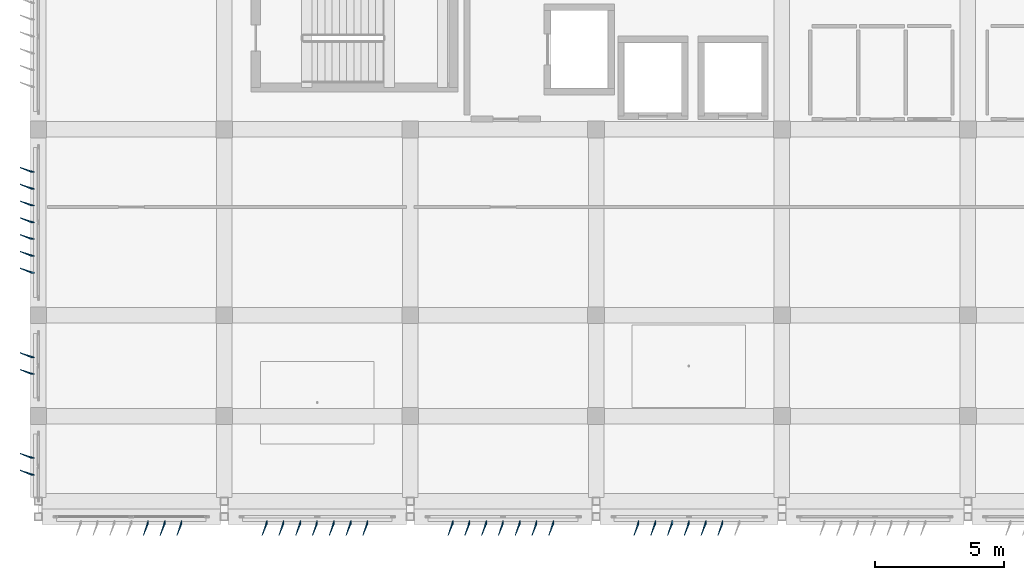
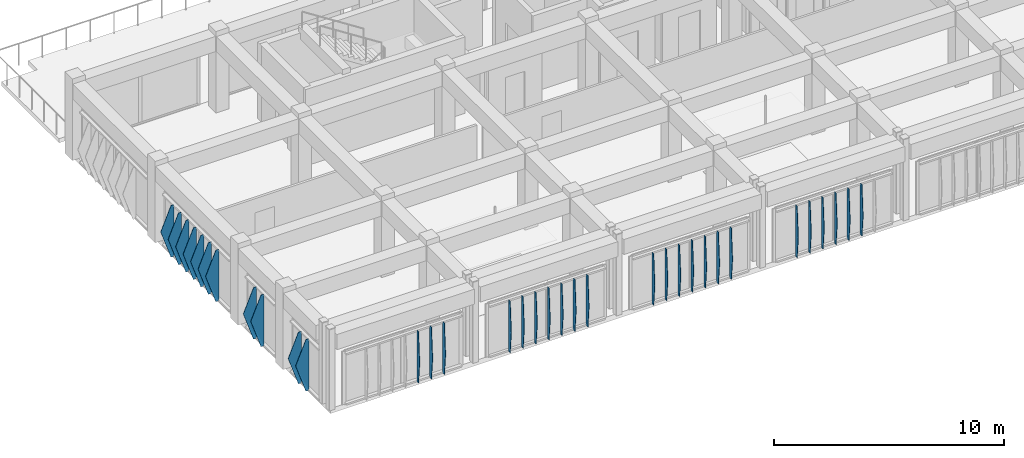
# One storey, part 36 of 42: 34 plates.
"""IFC4 building model written with IfcOpenShell, lengths in metres."""

from ifc_helpers import new_model, si_unit, direction, frame, origin, place, context, subcontext, project, spatial, polygons, material, layer, layer_set, type_object, element, save


model = new_model("IFC4")

# Units and contexts
model_context = context("Model", 3, precision=1e-05, world=origin(), true_north=direction((0.0, 1.0)))
body_context = subcontext(model_context, "Body", "Model", "MODEL_VIEW")
ifc_project = project(units=[si_unit("LENGTHUNIT", "METRE"), si_unit("AREAUNIT", "SQUARE_METRE"), si_unit("VOLUMEUNIT", "CUBIC_METRE"), si_unit("PLANEANGLEUNIT", "RADIAN"), si_unit("MASSUNIT", "GRAM", prefix="KILO")], contexts=[model_context])

# Site, building, storey
site_placement = place(None, origin())
site = spatial("IfcSite", under=ifc_project, at=site_placement, CompositionType="ELEMENT")
building_placement = place(site_placement, origin())
building = spatial("IfcBuilding", under=site, at=building_placement, Name="Kazehaya Institute of Natural Sciences", CompositionType="ELEMENT")
storey_placement = place(building_placement, frame((0.0, 0.0, 37.6201171875)))
storey = spatial("IfcBuildingStorey", under=building, at=storey_placement, Name="L08", CompositionType="ELEMENT", Elevation=37.6201171875)

# Plates
ifc_material = material(Name="Bronze-anodised aluminium alloy A6063S-T5", Category="aluminium")
ifc_layer_1 = layer(ifc_material, 0.02001953125, Name="Bronze-anodised aluminium alloy A6063S-T5", Category="aluminium")
ifc_layer_set_1 = layer_set([ifc_layer_1], Name="Bronze-anodised aluminium alloy A6063S-T5")
plate_type_1 = type_object("IfcPlateType", Name="FIN-DF-E1", PredefinedType="USERDEFINED", material=ifc_layer_set_1)
plate_1_placement = place(storey_placement, origin())
element("IfcPlate", 1, at=plate_1_placement, inside=storey, type_object=plate_type_1, Name="L08 folded diamond-pyramid shading fin FIN-L08-W-0805", ObjectType="SHADING_FIN", PredefinedType="USERDEFINED", context=body_context, shape_type="Tessellation", body=[
    polygons([(54.445068359375, 7.81494140625, 0.039794921875), (54.300048828125, 7.81494140625, 0.039794921875), (53.889892578125, 7.99365234375, 1.409912109375), (54.300048828125, 7.81494140625, 2.77978515625), (54.445068359375, 7.81494140625, 2.77978515625), (54.445068359375, 7.8349609375, 0.039794921875), (54.300048828125, 7.8349609375, 0.039794921875), (53.889892578125, 8.013671875, 1.409912109375), (54.300048828125, 7.8349609375, 2.77978515625), (54.445068359375, 7.8349609375, 2.77978515625)], [[[1, 5, 4, 3, 2]], [[6, 7, 8, 9, 10]], [[1, 2, 7, 6]], [[2, 3, 8, 7]], [[3, 4, 9, 8]], [[4, 5, 10, 9]], [[5, 1, 6, 10]]], closed=True),
])
plate_2_placement = place(storey_placement, origin())
element("IfcPlate", 2, at=plate_2_placement, inside=storey, type_object=plate_type_1, Name="L08 folded diamond-pyramid shading fin FIN-L08-W-0806", ObjectType="SHADING_FIN", PredefinedType="USERDEFINED", context=body_context, shape_type="Tessellation", body=[
    polygons([(54.445068359375, 8.465087890625, 0.039794921875), (54.300048828125, 8.465087890625, 0.039794921875), (53.889892578125, 8.643798828125, 1.409912109375), (54.300048828125, 8.465087890625, 2.77978515625), (54.445068359375, 8.465087890625, 2.77978515625), (54.445068359375, 8.485107421875, 0.039794921875), (54.300048828125, 8.485107421875, 0.039794921875), (53.889892578125, 8.663818359375, 1.409912109375), (54.300048828125, 8.485107421875, 2.77978515625), (54.445068359375, 8.485107421875, 2.77978515625)], [[[1, 5, 4, 3, 2]], [[6, 7, 8, 9, 10]], [[1, 2, 7, 6]], [[2, 3, 8, 7]], [[3, 4, 9, 8]], [[4, 5, 10, 9]], [[5, 1, 6, 10]]], closed=True),
])
plate_3_placement = place(storey_placement, origin())
element("IfcPlate", 3, at=plate_3_placement, inside=storey, type_object=plate_type_1, Name="L08 folded diamond-pyramid shading fin FIN-L08-W-0809", ObjectType="SHADING_FIN", PredefinedType="USERDEFINED", context=body_context, shape_type="Tessellation", body=[
    polygons([(54.445068359375, 11.715087890625, 0.039794921875), (54.300048828125, 11.715087890625, 0.039794921875), (53.889892578125, 11.893798828125, 1.409912109375), (54.300048828125, 11.715087890625, 2.77978515625), (54.445068359375, 11.715087890625, 2.77978515625), (54.445068359375, 11.735107421875, 0.039794921875), (54.300048828125, 11.735107421875, 0.039794921875), (53.889892578125, 11.913818359375, 1.409912109375), (54.300048828125, 11.735107421875, 2.77978515625), (54.445068359375, 11.735107421875, 2.77978515625)], [[[1, 5, 4, 3, 2]], [[6, 7, 8, 9, 10]], [[1, 2, 7, 6]], [[2, 3, 8, 7]], [[3, 4, 9, 8]], [[4, 5, 10, 9]], [[5, 1, 6, 10]]], closed=True),
])
plate_4_placement = place(storey_placement, origin())
element("IfcPlate", 4, at=plate_4_placement, inside=storey, type_object=plate_type_1, Name="L08 folded diamond-pyramid shading fin FIN-L08-W-0810", ObjectType="SHADING_FIN", PredefinedType="USERDEFINED", context=body_context, shape_type="Tessellation", body=[
    polygons([(54.445068359375, 12.364990234375, 0.039794921875), (54.300048828125, 12.364990234375, 0.039794921875), (53.889892578125, 12.543701171875, 1.409912109375), (54.300048828125, 12.364990234375, 2.77978515625), (54.445068359375, 12.364990234375, 2.77978515625), (54.445068359375, 12.385009765625, 0.039794921875), (54.300048828125, 12.385009765625, 0.039794921875), (53.889892578125, 12.563720703125, 1.409912109375), (54.300048828125, 12.385009765625, 2.77978515625), (54.445068359375, 12.385009765625, 2.77978515625)], [[[1, 5, 4, 3, 2]], [[6, 7, 8, 9, 10]], [[1, 2, 7, 6]], [[2, 3, 8, 7]], [[3, 4, 9, 8]], [[4, 5, 10, 9]], [[5, 1, 6, 10]]], closed=True),
])
plate_5_placement = place(storey_placement, origin())
element("IfcPlate", 5, at=plate_5_placement, inside=storey, type_object=plate_type_1, Name="L08 folded diamond-pyramid shading fin FIN-L08-W-0813", ObjectType="SHADING_FIN", PredefinedType="USERDEFINED", context=body_context, shape_type="Tessellation", body=[
    polygons([(54.445068359375, 15.639892578125, 0.039794921875), (54.300048828125, 15.639892578125, 0.039794921875), (53.889892578125, 15.818603515625, 1.409912109375), (54.300048828125, 15.639892578125, 2.77978515625), (54.445068359375, 15.639892578125, 2.77978515625), (54.445068359375, 15.659912109375, 0.039794921875), (54.300048828125, 15.659912109375, 0.039794921875), (53.889892578125, 15.838623046875, 1.409912109375), (54.300048828125, 15.659912109375, 2.77978515625), (54.445068359375, 15.659912109375, 2.77978515625)], [[[1, 5, 4, 3, 2]], [[6, 7, 8, 9, 10]], [[1, 2, 7, 6]], [[2, 3, 8, 7]], [[3, 4, 9, 8]], [[4, 5, 10, 9]], [[5, 1, 6, 10]]], closed=True),
])
plate_6_placement = place(storey_placement, origin())
element("IfcPlate", 6, at=plate_6_placement, inside=storey, type_object=plate_type_1, Name="L08 folded diamond-pyramid shading fin FIN-L08-W-0814", ObjectType="SHADING_FIN", PredefinedType="USERDEFINED", context=body_context, shape_type="Tessellation", body=[
    polygons([(54.445068359375, 16.2900390625, 0.039794921875), (54.300048828125, 16.2900390625, 0.039794921875), (53.889892578125, 16.46875, 1.409912109375), (54.300048828125, 16.2900390625, 2.77978515625), (54.445068359375, 16.2900390625, 2.77978515625), (54.445068359375, 16.31005859375, 0.039794921875), (54.300048828125, 16.31005859375, 0.039794921875), (53.889892578125, 16.48876953125, 1.409912109375), (54.300048828125, 16.31005859375, 2.77978515625), (54.445068359375, 16.31005859375, 2.77978515625)], [[[1, 5, 4, 3, 2]], [[6, 7, 8, 9, 10]], [[1, 2, 7, 6]], [[2, 3, 8, 7]], [[3, 4, 9, 8]], [[4, 5, 10, 9]], [[5, 1, 6, 10]]], closed=True),
])
plate_7_placement = place(storey_placement, origin())
element("IfcPlate", 7, at=plate_7_placement, inside=storey, type_object=plate_type_1, Name="L08 folded diamond-pyramid shading fin FIN-L08-W-0815", ObjectType="SHADING_FIN", PredefinedType="USERDEFINED", context=body_context, shape_type="Tessellation", body=[
    polygons([(54.445068359375, 16.93994140625, 0.039794921875), (54.300048828125, 16.93994140625, 0.039794921875), (53.889892578125, 17.11865234375, 1.409912109375), (54.300048828125, 16.93994140625, 2.77978515625), (54.445068359375, 16.93994140625, 2.77978515625), (54.445068359375, 16.9599609375, 0.039794921875), (54.300048828125, 16.9599609375, 0.039794921875), (53.889892578125, 17.138671875, 1.409912109375), (54.300048828125, 16.9599609375, 2.77978515625), (54.445068359375, 16.9599609375, 2.77978515625)], [[[1, 5, 4, 3, 2]], [[6, 7, 8, 9, 10]], [[1, 2, 7, 6]], [[2, 3, 8, 7]], [[3, 4, 9, 8]], [[4, 5, 10, 9]], [[5, 1, 6, 10]]], closed=True),
])
plate_8_placement = place(storey_placement, origin())
element("IfcPlate", 8, at=plate_8_placement, inside=storey, type_object=plate_type_1, Name="L08 folded diamond-pyramid shading fin FIN-L08-W-0816", ObjectType="SHADING_FIN", PredefinedType="USERDEFINED", context=body_context, shape_type="Tessellation", body=[
    polygons([(54.445068359375, 17.590087890625, 0.039794921875), (54.300048828125, 17.590087890625, 0.039794921875), (53.889892578125, 17.768798828125, 1.409912109375), (54.300048828125, 17.590087890625, 2.77978515625), (54.445068359375, 17.590087890625, 2.77978515625), (54.445068359375, 17.610107421875, 0.039794921875), (54.300048828125, 17.610107421875, 0.039794921875), (53.889892578125, 17.788818359375, 1.409912109375), (54.300048828125, 17.610107421875, 2.77978515625), (54.445068359375, 17.610107421875, 2.77978515625)], [[[1, 5, 4, 3, 2]], [[6, 7, 8, 9, 10]], [[1, 2, 7, 6]], [[2, 3, 8, 7]], [[3, 4, 9, 8]], [[4, 5, 10, 9]], [[5, 1, 6, 10]]], closed=True),
])
plate_9_placement = place(storey_placement, origin())
element("IfcPlate", 9, at=plate_9_placement, inside=storey, type_object=plate_type_1, Name="L08 folded diamond-pyramid shading fin FIN-L08-W-0817", ObjectType="SHADING_FIN", PredefinedType="USERDEFINED", context=body_context, shape_type="Tessellation", body=[
    polygons([(54.445068359375, 18.239990234375, 0.039794921875), (54.300048828125, 18.239990234375, 0.039794921875), (53.889892578125, 18.418701171875, 1.409912109375), (54.300048828125, 18.239990234375, 2.77978515625), (54.445068359375, 18.239990234375, 2.77978515625), (54.445068359375, 18.260009765625, 0.039794921875), (54.300048828125, 18.260009765625, 0.039794921875), (53.889892578125, 18.438720703125, 1.409912109375), (54.300048828125, 18.260009765625, 2.77978515625), (54.445068359375, 18.260009765625, 2.77978515625)], [[[1, 5, 4, 3, 2]], [[6, 7, 8, 9, 10]], [[1, 2, 7, 6]], [[2, 3, 8, 7]], [[3, 4, 9, 8]], [[4, 5, 10, 9]], [[5, 1, 6, 10]]], closed=True),
])
plate_10_placement = place(storey_placement, origin())
element("IfcPlate", 10, at=plate_10_placement, inside=storey, type_object=plate_type_1, Name="L08 folded diamond-pyramid shading fin FIN-L08-W-0818", ObjectType="SHADING_FIN", PredefinedType="USERDEFINED", context=body_context, shape_type="Tessellation", body=[
    polygons([(54.445068359375, 18.889892578125, 0.039794921875), (54.300048828125, 18.889892578125, 0.039794921875), (53.889892578125, 19.068603515625, 1.409912109375), (54.300048828125, 18.889892578125, 2.77978515625), (54.445068359375, 18.889892578125, 2.77978515625), (54.445068359375, 18.909912109375, 0.039794921875), (54.300048828125, 18.909912109375, 0.039794921875), (53.889892578125, 19.088623046875, 1.409912109375), (54.300048828125, 18.909912109375, 2.77978515625), (54.445068359375, 18.909912109375, 2.77978515625)], [[[1, 5, 4, 3, 2]], [[6, 7, 8, 9, 10]], [[1, 2, 7, 6]], [[2, 3, 8, 7]], [[3, 4, 9, 8]], [[4, 5, 10, 9]], [[5, 1, 6, 10]]], closed=True),
])
plate_11_placement = place(storey_placement, origin())
element("IfcPlate", 11, at=plate_11_placement, inside=storey, type_object=plate_type_1, Name="L08 folded diamond-pyramid shading fin FIN-L08-W-0819", ObjectType="SHADING_FIN", PredefinedType="USERDEFINED", context=body_context, shape_type="Tessellation", body=[
    polygons([(54.445068359375, 19.5400390625, 0.039794921875), (54.300048828125, 19.5400390625, 0.039794921875), (53.889892578125, 19.71875, 1.409912109375), (54.300048828125, 19.5400390625, 2.77978515625), (54.445068359375, 19.5400390625, 2.77978515625), (54.445068359375, 19.56005859375, 0.039794921875), (54.300048828125, 19.56005859375, 0.039794921875), (53.889892578125, 19.73876953125, 1.409912109375), (54.300048828125, 19.56005859375, 2.77978515625), (54.445068359375, 19.56005859375, 2.77978515625)], [[[1, 5, 4, 3, 2]], [[6, 7, 8, 9, 10]], [[1, 2, 7, 6]], [[2, 3, 8, 7]], [[3, 4, 9, 8]], [[4, 5, 10, 9]], [[5, 1, 6, 10]]], closed=True),
])
ifc_layer_2 = layer(ifc_material, 0.02001953125, Name="Bronze-anodised aluminium alloy A6063S-T5", Category="aluminium")
ifc_layer_set_2 = layer_set([ifc_layer_2], Name="Bronze-anodised aluminium alloy A6063S-T5")
plate_type_2 = type_object("IfcPlateType", Name="FIN-DF-S1", PredefinedType="USERDEFINED", material=ifc_layer_set_2)
plate_12_placement = place(storey_placement, origin())
element("IfcPlate", 12, at=plate_12_placement, inside=storey, type_object=plate_type_2, Name="L08 folded diamond-pyramid shading fin FIN-L08-S-0738", ObjectType="SHADING_FIN", PredefinedType="USERDEFINED", context=body_context, shape_type="Tessellation", body=[
    polygons([(81.110107421875, 6.044921875, 0.039794921875), (81.110107421875, 5.89990234375, 0.039794921875), (80.931396484375, 5.489990234375, 1.409912109375), (81.110107421875, 5.89990234375, 2.77978515625), (81.110107421875, 6.044921875, 2.77978515625), (81.090087890625, 6.044921875, 0.039794921875), (81.090087890625, 5.89990234375, 0.039794921875), (80.911376953125, 5.489990234375, 1.409912109375), (81.090087890625, 5.89990234375, 2.77978515625), (81.090087890625, 6.044921875, 2.77978515625)], [[[1, 5, 4, 3, 2]], [[6, 7, 8, 9, 10]], [[1, 2, 7, 6]], [[2, 3, 8, 7]], [[3, 4, 9, 8]], [[4, 5, 10, 9]], [[5, 1, 6, 10]]], closed=True),
])
plate_13_placement = place(storey_placement, origin())
element("IfcPlate", 13, at=plate_13_placement, inside=storey, type_object=plate_type_2, Name="L08 folded diamond-pyramid shading fin FIN-L08-S-0739", ObjectType="SHADING_FIN", PredefinedType="USERDEFINED", context=body_context, shape_type="Tessellation", body=[
    polygons([(80.4599609375, 6.044921875, 0.039794921875), (80.4599609375, 5.89990234375, 0.039794921875), (80.28125, 5.489990234375, 1.409912109375), (80.4599609375, 5.89990234375, 2.77978515625), (80.4599609375, 6.044921875, 2.77978515625), (80.43994140625, 6.044921875, 0.039794921875), (80.43994140625, 5.89990234375, 0.039794921875), (80.26123046875, 5.489990234375, 1.409912109375), (80.43994140625, 5.89990234375, 2.77978515625), (80.43994140625, 6.044921875, 2.77978515625)], [[[1, 5, 4, 3, 2]], [[6, 7, 8, 9, 10]], [[1, 2, 7, 6]], [[2, 3, 8, 7]], [[3, 4, 9, 8]], [[4, 5, 10, 9]], [[5, 1, 6, 10]]], closed=True),
])
plate_14_placement = place(storey_placement, origin())
element("IfcPlate", 14, at=plate_14_placement, inside=storey, type_object=plate_type_2, Name="L08 folded diamond-pyramid shading fin FIN-L08-S-0740", ObjectType="SHADING_FIN", PredefinedType="USERDEFINED", context=body_context, shape_type="Tessellation", body=[
    polygons([(79.81005859375, 6.044921875, 0.039794921875), (79.81005859375, 5.89990234375, 0.039794921875), (79.63134765625, 5.489990234375, 1.409912109375), (79.81005859375, 5.89990234375, 2.77978515625), (79.81005859375, 6.044921875, 2.77978515625), (79.7900390625, 6.044921875, 0.039794921875), (79.7900390625, 5.89990234375, 0.039794921875), (79.611328125, 5.489990234375, 1.409912109375), (79.7900390625, 5.89990234375, 2.77978515625), (79.7900390625, 6.044921875, 2.77978515625)], [[[1, 5, 4, 3, 2]], [[6, 7, 8, 9, 10]], [[1, 2, 7, 6]], [[2, 3, 8, 7]], [[3, 4, 9, 8]], [[4, 5, 10, 9]], [[5, 1, 6, 10]]], closed=True),
])
plate_15_placement = place(storey_placement, origin())
element("IfcPlate", 15, at=plate_15_placement, inside=storey, type_object=plate_type_2, Name="L08 folded diamond-pyramid shading fin FIN-L08-S-0741", ObjectType="SHADING_FIN", PredefinedType="USERDEFINED", context=body_context, shape_type="Tessellation", body=[
    polygons([(79.159912109375, 6.044921875, 0.039794921875), (79.159912109375, 5.89990234375, 0.039794921875), (78.981201171875, 5.489990234375, 1.409912109375), (79.159912109375, 5.89990234375, 2.77978515625), (79.159912109375, 6.044921875, 2.77978515625), (79.139892578125, 6.044921875, 0.039794921875), (79.139892578125, 5.89990234375, 0.039794921875), (78.961181640625, 5.489990234375, 1.409912109375), (79.139892578125, 5.89990234375, 2.77978515625), (79.139892578125, 6.044921875, 2.77978515625)], [[[1, 5, 4, 3, 2]], [[6, 7, 8, 9, 10]], [[1, 2, 7, 6]], [[2, 3, 8, 7]], [[3, 4, 9, 8]], [[4, 5, 10, 9]], [[5, 1, 6, 10]]], closed=True),
])
plate_16_placement = place(storey_placement, origin())
element("IfcPlate", 16, at=plate_16_placement, inside=storey, type_object=plate_type_2, Name="L08 folded diamond-pyramid shading fin FIN-L08-S-0742", ObjectType="SHADING_FIN", PredefinedType="USERDEFINED", context=body_context, shape_type="Tessellation", body=[
    polygons([(78.510009765625, 6.044921875, 0.039794921875), (78.510009765625, 5.89990234375, 0.039794921875), (78.331298828125, 5.489990234375, 1.409912109375), (78.510009765625, 5.89990234375, 2.77978515625), (78.510009765625, 6.044921875, 2.77978515625), (78.489990234375, 6.044921875, 0.039794921875), (78.489990234375, 5.89990234375, 0.039794921875), (78.311279296875, 5.489990234375, 1.409912109375), (78.489990234375, 5.89990234375, 2.77978515625), (78.489990234375, 6.044921875, 2.77978515625)], [[[1, 5, 4, 3, 2]], [[6, 7, 8, 9, 10]], [[1, 2, 7, 6]], [[2, 3, 8, 7]], [[3, 4, 9, 8]], [[4, 5, 10, 9]], [[5, 1, 6, 10]]], closed=True),
])
plate_17_placement = place(storey_placement, origin())
element("IfcPlate", 17, at=plate_17_placement, inside=storey, type_object=plate_type_2, Name="L08 folded diamond-pyramid shading fin FIN-L08-S-0743", ObjectType="SHADING_FIN", PredefinedType="USERDEFINED", context=body_context, shape_type="Tessellation", body=[
    polygons([(77.860107421875, 6.044921875, 0.039794921875), (77.860107421875, 5.89990234375, 0.039794921875), (77.681396484375, 5.489990234375, 1.409912109375), (77.860107421875, 5.89990234375, 2.77978515625), (77.860107421875, 6.044921875, 2.77978515625), (77.840087890625, 6.044921875, 0.039794921875), (77.840087890625, 5.89990234375, 0.039794921875), (77.661376953125, 5.489990234375, 1.409912109375), (77.840087890625, 5.89990234375, 2.77978515625), (77.840087890625, 6.044921875, 2.77978515625)], [[[1, 5, 4, 3, 2]], [[6, 7, 8, 9, 10]], [[1, 2, 7, 6]], [[2, 3, 8, 7]], [[3, 4, 9, 8]], [[4, 5, 10, 9]], [[5, 1, 6, 10]]], closed=True),
])
plate_18_placement = place(storey_placement, origin())
element("IfcPlate", 18, at=plate_18_placement, inside=storey, type_object=plate_type_2, Name="L08 folded diamond-pyramid shading fin FIN-L08-S-0744", ObjectType="SHADING_FIN", PredefinedType="USERDEFINED", context=body_context, shape_type="Tessellation", body=[
    polygons([(74.56005859375, 6.044921875, 0.039794921875), (74.56005859375, 5.89990234375, 0.039794921875), (74.38134765625, 5.489990234375, 1.409912109375), (74.56005859375, 5.89990234375, 2.77978515625), (74.56005859375, 6.044921875, 2.77978515625), (74.5400390625, 6.044921875, 0.039794921875), (74.5400390625, 5.89990234375, 0.039794921875), (74.361328125, 5.489990234375, 1.409912109375), (74.5400390625, 5.89990234375, 2.77978515625), (74.5400390625, 6.044921875, 2.77978515625)], [[[1, 5, 4, 3, 2]], [[6, 7, 8, 9, 10]], [[1, 2, 7, 6]], [[2, 3, 8, 7]], [[3, 4, 9, 8]], [[4, 5, 10, 9]], [[5, 1, 6, 10]]], closed=True),
])
plate_19_placement = place(storey_placement, origin())
element("IfcPlate", 19, at=plate_19_placement, inside=storey, type_object=plate_type_2, Name="L08 folded diamond-pyramid shading fin FIN-L08-S-0745", ObjectType="SHADING_FIN", PredefinedType="USERDEFINED", context=body_context, shape_type="Tessellation", body=[
    polygons([(73.909912109375, 6.044921875, 0.039794921875), (73.909912109375, 5.89990234375, 0.039794921875), (73.731201171875, 5.489990234375, 1.409912109375), (73.909912109375, 5.89990234375, 2.77978515625), (73.909912109375, 6.044921875, 2.77978515625), (73.889892578125, 6.044921875, 0.039794921875), (73.889892578125, 5.89990234375, 0.039794921875), (73.711181640625, 5.489990234375, 1.409912109375), (73.889892578125, 5.89990234375, 2.77978515625), (73.889892578125, 6.044921875, 2.77978515625)], [[[1, 5, 4, 3, 2]], [[6, 7, 8, 9, 10]], [[1, 2, 7, 6]], [[2, 3, 8, 7]], [[3, 4, 9, 8]], [[4, 5, 10, 9]], [[5, 1, 6, 10]]], closed=True),
])
plate_20_placement = place(storey_placement, origin())
element("IfcPlate", 20, at=plate_20_placement, inside=storey, type_object=plate_type_2, Name="L08 folded diamond-pyramid shading fin FIN-L08-S-0746", ObjectType="SHADING_FIN", PredefinedType="USERDEFINED", context=body_context, shape_type="Tessellation", body=[
    polygons([(73.260009765625, 6.044921875, 0.039794921875), (73.260009765625, 5.89990234375, 0.039794921875), (73.081298828125, 5.489990234375, 1.409912109375), (73.260009765625, 5.89990234375, 2.77978515625), (73.260009765625, 6.044921875, 2.77978515625), (73.239990234375, 6.044921875, 0.039794921875), (73.239990234375, 5.89990234375, 0.039794921875), (73.061279296875, 5.489990234375, 1.409912109375), (73.239990234375, 5.89990234375, 2.77978515625), (73.239990234375, 6.044921875, 2.77978515625)], [[[1, 5, 4, 3, 2]], [[6, 7, 8, 9, 10]], [[1, 2, 7, 6]], [[2, 3, 8, 7]], [[3, 4, 9, 8]], [[4, 5, 10, 9]], [[5, 1, 6, 10]]], closed=True),
])
plate_21_placement = place(storey_placement, origin())
element("IfcPlate", 21, at=plate_21_placement, inside=storey, type_object=plate_type_2, Name="L08 folded diamond-pyramid shading fin FIN-L08-S-0747", ObjectType="SHADING_FIN", PredefinedType="USERDEFINED", context=body_context, shape_type="Tessellation", body=[
    polygons([(72.610107421875, 6.044921875, 0.039794921875), (72.610107421875, 5.89990234375, 0.039794921875), (72.431396484375, 5.489990234375, 1.409912109375), (72.610107421875, 5.89990234375, 2.77978515625), (72.610107421875, 6.044921875, 2.77978515625), (72.590087890625, 6.044921875, 0.039794921875), (72.590087890625, 5.89990234375, 0.039794921875), (72.411376953125, 5.489990234375, 1.409912109375), (72.590087890625, 5.89990234375, 2.77978515625), (72.590087890625, 6.044921875, 2.77978515625)], [[[1, 5, 4, 3, 2]], [[6, 7, 8, 9, 10]], [[1, 2, 7, 6]], [[2, 3, 8, 7]], [[3, 4, 9, 8]], [[4, 5, 10, 9]], [[5, 1, 6, 10]]], closed=True),
])
plate_22_placement = place(storey_placement, origin())
element("IfcPlate", 22, at=plate_22_placement, inside=storey, type_object=plate_type_2, Name="L08 folded diamond-pyramid shading fin FIN-L08-S-0748", ObjectType="SHADING_FIN", PredefinedType="USERDEFINED", context=body_context, shape_type="Tessellation", body=[
    polygons([(71.9599609375, 6.044921875, 0.039794921875), (71.9599609375, 5.89990234375, 0.039794921875), (71.78125, 5.489990234375, 1.409912109375), (71.9599609375, 5.89990234375, 2.77978515625), (71.9599609375, 6.044921875, 2.77978515625), (71.93994140625, 6.044921875, 0.039794921875), (71.93994140625, 5.89990234375, 0.039794921875), (71.76123046875, 5.489990234375, 1.409912109375), (71.93994140625, 5.89990234375, 2.77978515625), (71.93994140625, 6.044921875, 2.77978515625)], [[[1, 5, 4, 3, 2]], [[6, 7, 8, 9, 10]], [[1, 2, 7, 6]], [[2, 3, 8, 7]], [[3, 4, 9, 8]], [[4, 5, 10, 9]], [[5, 1, 6, 10]]], closed=True),
])
plate_23_placement = place(storey_placement, origin())
element("IfcPlate", 23, at=plate_23_placement, inside=storey, type_object=plate_type_2, Name="L08 folded diamond-pyramid shading fin FIN-L08-S-0749", ObjectType="SHADING_FIN", PredefinedType="USERDEFINED", context=body_context, shape_type="Tessellation", body=[
    polygons([(71.31005859375, 6.044921875, 0.039794921875), (71.31005859375, 5.89990234375, 0.039794921875), (71.13134765625, 5.489990234375, 1.409912109375), (71.31005859375, 5.89990234375, 2.77978515625), (71.31005859375, 6.044921875, 2.77978515625), (71.2900390625, 6.044921875, 0.039794921875), (71.2900390625, 5.89990234375, 0.039794921875), (71.111328125, 5.489990234375, 1.409912109375), (71.2900390625, 5.89990234375, 2.77978515625), (71.2900390625, 6.044921875, 2.77978515625)], [[[1, 5, 4, 3, 2]], [[6, 7, 8, 9, 10]], [[1, 2, 7, 6]], [[2, 3, 8, 7]], [[3, 4, 9, 8]], [[4, 5, 10, 9]], [[5, 1, 6, 10]]], closed=True),
])
plate_24_placement = place(storey_placement, origin())
element("IfcPlate", 24, at=plate_24_placement, inside=storey, type_object=plate_type_2, Name="L08 folded diamond-pyramid shading fin FIN-L08-S-0750", ObjectType="SHADING_FIN", PredefinedType="USERDEFINED", context=body_context, shape_type="Tessellation", body=[
    polygons([(70.659912109375, 6.044921875, 0.039794921875), (70.659912109375, 5.89990234375, 0.039794921875), (70.481201171875, 5.489990234375, 1.409912109375), (70.659912109375, 5.89990234375, 2.77978515625), (70.659912109375, 6.044921875, 2.77978515625), (70.639892578125, 6.044921875, 0.039794921875), (70.639892578125, 5.89990234375, 0.039794921875), (70.461181640625, 5.489990234375, 1.409912109375), (70.639892578125, 5.89990234375, 2.77978515625), (70.639892578125, 6.044921875, 2.77978515625)], [[[1, 5, 4, 3, 2]], [[6, 7, 8, 9, 10]], [[1, 2, 7, 6]], [[2, 3, 8, 7]], [[3, 4, 9, 8]], [[4, 5, 10, 9]], [[5, 1, 6, 10]]], closed=True),
])
plate_25_placement = place(storey_placement, origin())
element("IfcPlate", 25, at=plate_25_placement, inside=storey, type_object=plate_type_2, Name="L08 folded diamond-pyramid shading fin FIN-L08-S-0751", ObjectType="SHADING_FIN", PredefinedType="USERDEFINED", context=body_context, shape_type="Tessellation", body=[
    polygons([(67.360107421875, 6.044921875, 0.039794921875), (67.360107421875, 5.89990234375, 0.039794921875), (67.181396484375, 5.489990234375, 1.409912109375), (67.360107421875, 5.89990234375, 2.77978515625), (67.360107421875, 6.044921875, 2.77978515625), (67.340087890625, 6.044921875, 0.039794921875), (67.340087890625, 5.89990234375, 0.039794921875), (67.161376953125, 5.489990234375, 1.409912109375), (67.340087890625, 5.89990234375, 2.77978515625), (67.340087890625, 6.044921875, 2.77978515625)], [[[1, 5, 4, 3, 2]], [[6, 7, 8, 9, 10]], [[1, 2, 7, 6]], [[2, 3, 8, 7]], [[3, 4, 9, 8]], [[4, 5, 10, 9]], [[5, 1, 6, 10]]], closed=True),
])
plate_26_placement = place(storey_placement, origin())
element("IfcPlate", 26, at=plate_26_placement, inside=storey, type_object=plate_type_2, Name="L08 folded diamond-pyramid shading fin FIN-L08-S-0752", ObjectType="SHADING_FIN", PredefinedType="USERDEFINED", context=body_context, shape_type="Tessellation", body=[
    polygons([(66.7099609375, 6.044921875, 0.039794921875), (66.7099609375, 5.89990234375, 0.039794921875), (66.53125, 5.489990234375, 1.409912109375), (66.7099609375, 5.89990234375, 2.77978515625), (66.7099609375, 6.044921875, 2.77978515625), (66.68994140625, 6.044921875, 0.039794921875), (66.68994140625, 5.89990234375, 0.039794921875), (66.51123046875, 5.489990234375, 1.409912109375), (66.68994140625, 5.89990234375, 2.77978515625), (66.68994140625, 6.044921875, 2.77978515625)], [[[1, 5, 4, 3, 2]], [[6, 7, 8, 9, 10]], [[1, 2, 7, 6]], [[2, 3, 8, 7]], [[3, 4, 9, 8]], [[4, 5, 10, 9]], [[5, 1, 6, 10]]], closed=True),
])
plate_27_placement = place(storey_placement, origin())
element("IfcPlate", 27, at=plate_27_placement, inside=storey, type_object=plate_type_2, Name="L08 folded diamond-pyramid shading fin FIN-L08-S-0753", ObjectType="SHADING_FIN", PredefinedType="USERDEFINED", context=body_context, shape_type="Tessellation", body=[
    polygons([(66.06005859375, 6.044921875, 0.039794921875), (66.06005859375, 5.89990234375, 0.039794921875), (65.88134765625, 5.489990234375, 1.409912109375), (66.06005859375, 5.89990234375, 2.77978515625), (66.06005859375, 6.044921875, 2.77978515625), (66.0400390625, 6.044921875, 0.039794921875), (66.0400390625, 5.89990234375, 0.039794921875), (65.861328125, 5.489990234375, 1.409912109375), (66.0400390625, 5.89990234375, 2.77978515625), (66.0400390625, 6.044921875, 2.77978515625)], [[[1, 5, 4, 3, 2]], [[6, 7, 8, 9, 10]], [[1, 2, 7, 6]], [[2, 3, 8, 7]], [[3, 4, 9, 8]], [[4, 5, 10, 9]], [[5, 1, 6, 10]]], closed=True),
])
plate_28_placement = place(storey_placement, origin())
element("IfcPlate", 28, at=plate_28_placement, inside=storey, type_object=plate_type_2, Name="L08 folded diamond-pyramid shading fin FIN-L08-S-0754", ObjectType="SHADING_FIN", PredefinedType="USERDEFINED", context=body_context, shape_type="Tessellation", body=[
    polygons([(65.409912109375, 6.044921875, 0.039794921875), (65.409912109375, 5.89990234375, 0.039794921875), (65.231201171875, 5.489990234375, 1.409912109375), (65.409912109375, 5.89990234375, 2.77978515625), (65.409912109375, 6.044921875, 2.77978515625), (65.389892578125, 6.044921875, 0.039794921875), (65.389892578125, 5.89990234375, 0.039794921875), (65.211181640625, 5.489990234375, 1.409912109375), (65.389892578125, 5.89990234375, 2.77978515625), (65.389892578125, 6.044921875, 2.77978515625)], [[[1, 5, 4, 3, 2]], [[6, 7, 8, 9, 10]], [[1, 2, 7, 6]], [[2, 3, 8, 7]], [[3, 4, 9, 8]], [[4, 5, 10, 9]], [[5, 1, 6, 10]]], closed=True),
])
plate_29_placement = place(storey_placement, origin())
element("IfcPlate", 29, at=plate_29_placement, inside=storey, type_object=plate_type_2, Name="L08 folded diamond-pyramid shading fin FIN-L08-S-0755", ObjectType="SHADING_FIN", PredefinedType="USERDEFINED", context=body_context, shape_type="Tessellation", body=[
    polygons([(64.760009765625, 6.044921875, 0.039794921875), (64.760009765625, 5.89990234375, 0.039794921875), (64.581298828125, 5.489990234375, 1.409912109375), (64.760009765625, 5.89990234375, 2.77978515625), (64.760009765625, 6.044921875, 2.77978515625), (64.739990234375, 6.044921875, 0.039794921875), (64.739990234375, 5.89990234375, 0.039794921875), (64.561279296875, 5.489990234375, 1.409912109375), (64.739990234375, 5.89990234375, 2.77978515625), (64.739990234375, 6.044921875, 2.77978515625)], [[[1, 5, 4, 3, 2]], [[6, 7, 8, 9, 10]], [[1, 2, 7, 6]], [[2, 3, 8, 7]], [[3, 4, 9, 8]], [[4, 5, 10, 9]], [[5, 1, 6, 10]]], closed=True),
])
plate_30_placement = place(storey_placement, origin())
element("IfcPlate", 30, at=plate_30_placement, inside=storey, type_object=plate_type_2, Name="L08 folded diamond-pyramid shading fin FIN-L08-S-0756", ObjectType="SHADING_FIN", PredefinedType="USERDEFINED", context=body_context, shape_type="Tessellation", body=[
    polygons([(64.110107421875, 6.044921875, 0.039794921875), (64.110107421875, 5.89990234375, 0.039794921875), (63.931396484375, 5.489990234375, 1.409912109375), (64.110107421875, 5.89990234375, 2.77978515625), (64.110107421875, 6.044921875, 2.77978515625), (64.090087890625, 6.044921875, 0.039794921875), (64.090087890625, 5.89990234375, 0.039794921875), (63.911376953125, 5.489990234375, 1.409912109375), (64.090087890625, 5.89990234375, 2.77978515625), (64.090087890625, 6.044921875, 2.77978515625)], [[[1, 5, 4, 3, 2]], [[6, 7, 8, 9, 10]], [[1, 2, 7, 6]], [[2, 3, 8, 7]], [[3, 4, 9, 8]], [[4, 5, 10, 9]], [[5, 1, 6, 10]]], closed=True),
])
plate_31_placement = place(storey_placement, origin())
element("IfcPlate", 31, at=plate_31_placement, inside=storey, type_object=plate_type_2, Name="L08 folded diamond-pyramid shading fin FIN-L08-S-0757", ObjectType="SHADING_FIN", PredefinedType="USERDEFINED", context=body_context, shape_type="Tessellation", body=[
    polygons([(63.4599609375, 6.044921875, 0.039794921875), (63.4599609375, 5.89990234375, 0.039794921875), (63.28125, 5.489990234375, 1.409912109375), (63.4599609375, 5.89990234375, 2.77978515625), (63.4599609375, 6.044921875, 2.77978515625), (63.43994140625, 6.044921875, 0.039794921875), (63.43994140625, 5.89990234375, 0.039794921875), (63.26123046875, 5.489990234375, 1.409912109375), (63.43994140625, 5.89990234375, 2.77978515625), (63.43994140625, 6.044921875, 2.77978515625)], [[[1, 5, 4, 3, 2]], [[6, 7, 8, 9, 10]], [[1, 2, 7, 6]], [[2, 3, 8, 7]], [[3, 4, 9, 8]], [[4, 5, 10, 9]], [[5, 1, 6, 10]]], closed=True),
])
plate_32_placement = place(storey_placement, origin())
element("IfcPlate", 32, at=plate_32_placement, inside=storey, type_object=plate_type_2, Name="L08 folded diamond-pyramid shading fin FIN-L08-S-0758", ObjectType="SHADING_FIN", PredefinedType="USERDEFINED", context=body_context, shape_type="Tessellation", body=[
    polygons([(60.159912109375, 6.044921875, 0.039794921875), (60.159912109375, 5.89990234375, 0.039794921875), (59.981201171875, 5.489990234375, 1.409912109375), (60.159912109375, 5.89990234375, 2.77978515625), (60.159912109375, 6.044921875, 2.77978515625), (60.139892578125, 6.044921875, 0.039794921875), (60.139892578125, 5.89990234375, 0.039794921875), (59.961181640625, 5.489990234375, 1.409912109375), (60.139892578125, 5.89990234375, 2.77978515625), (60.139892578125, 6.044921875, 2.77978515625)], [[[1, 5, 4, 3, 2]], [[6, 7, 8, 9, 10]], [[1, 2, 7, 6]], [[2, 3, 8, 7]], [[3, 4, 9, 8]], [[4, 5, 10, 9]], [[5, 1, 6, 10]]], closed=True),
])
plate_33_placement = place(storey_placement, origin())
element("IfcPlate", 33, at=plate_33_placement, inside=storey, type_object=plate_type_2, Name="L08 folded diamond-pyramid shading fin FIN-L08-S-0759", ObjectType="SHADING_FIN", PredefinedType="USERDEFINED", context=body_context, shape_type="Tessellation", body=[
    polygons([(59.510009765625, 6.044921875, 0.039794921875), (59.510009765625, 5.89990234375, 0.039794921875), (59.331298828125, 5.489990234375, 1.409912109375), (59.510009765625, 5.89990234375, 2.77978515625), (59.510009765625, 6.044921875, 2.77978515625), (59.489990234375, 6.044921875, 0.039794921875), (59.489990234375, 5.89990234375, 0.039794921875), (59.311279296875, 5.489990234375, 1.409912109375), (59.489990234375, 5.89990234375, 2.77978515625), (59.489990234375, 6.044921875, 2.77978515625)], [[[1, 5, 4, 3, 2]], [[6, 7, 8, 9, 10]], [[1, 2, 7, 6]], [[2, 3, 8, 7]], [[3, 4, 9, 8]], [[4, 5, 10, 9]], [[5, 1, 6, 10]]], closed=True),
])
plate_34_placement = place(storey_placement, origin())
element("IfcPlate", 34, at=plate_34_placement, inside=storey, type_object=plate_type_2, Name="L08 folded diamond-pyramid shading fin FIN-L08-S-0760", ObjectType="SHADING_FIN", PredefinedType="USERDEFINED", context=body_context, shape_type="Tessellation", body=[
    polygons([(58.860107421875, 6.044921875, 0.039794921875), (58.860107421875, 5.89990234375, 0.039794921875), (58.681396484375, 5.489990234375, 1.409912109375), (58.860107421875, 5.89990234375, 2.77978515625), (58.860107421875, 6.044921875, 2.77978515625), (58.840087890625, 6.044921875, 0.039794921875), (58.840087890625, 5.89990234375, 0.039794921875), (58.661376953125, 5.489990234375, 1.409912109375), (58.840087890625, 5.89990234375, 2.77978515625), (58.840087890625, 6.044921875, 2.77978515625)], [[[1, 5, 4, 3, 2]], [[6, 7, 8, 9, 10]], [[1, 2, 7, 6]], [[2, 3, 8, 7]], [[3, 4, 9, 8]], [[4, 5, 10, 9]], [[5, 1, 6, 10]]], closed=True),
])

save(model, "model.ifc")
